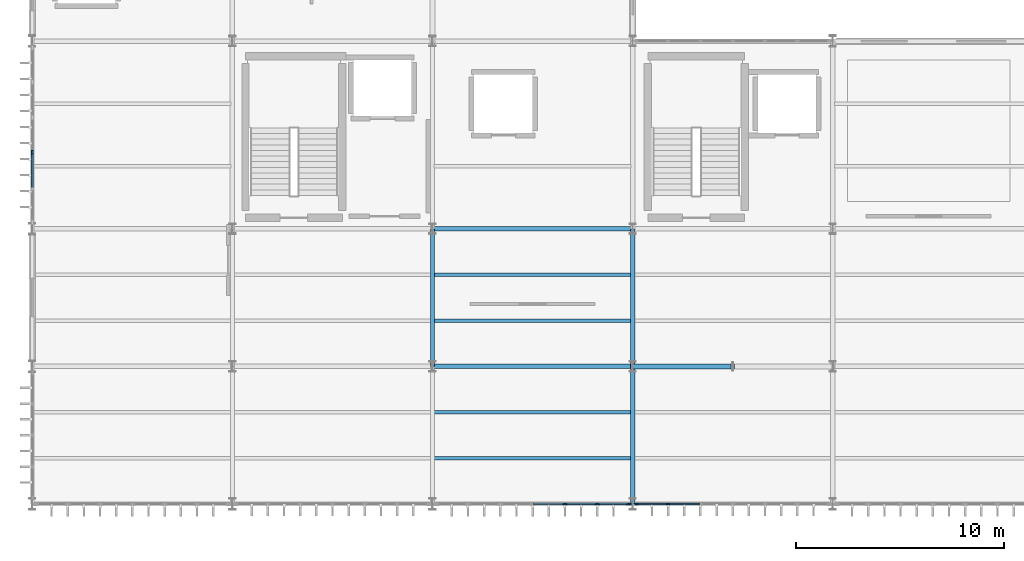
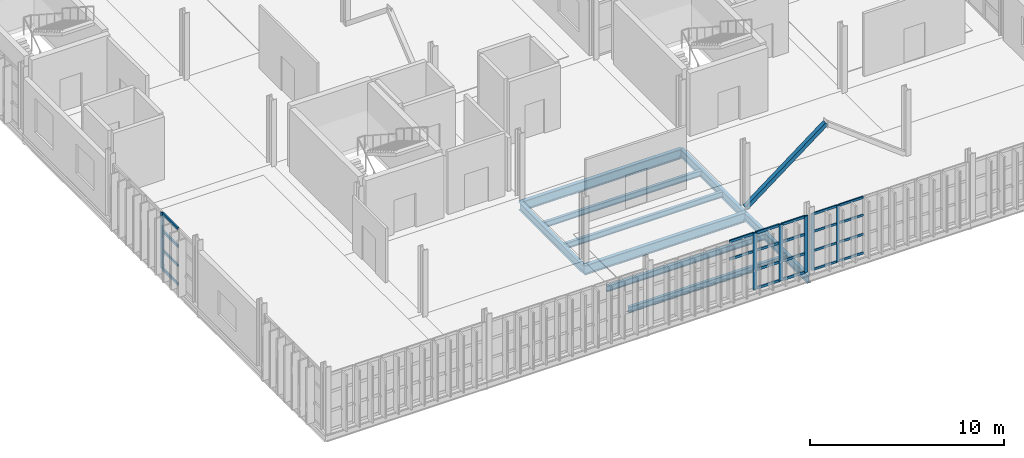
# One storey, part 6 of 52: 29 members, 9 beams, 3 elements without a shape of their own.
"""IFC4 building model written with IfcOpenShell, lengths in metres."""

from ifc_helpers import new_model, si_unit, direction, frame, origin, origin_2d, place, context, subcontext, project, spatial, rectangle, hollow_rectangle, i_section, extrude, material, layer, layer_set, material_profile, profile_set, type_object, element, aggregate, save


model = new_model("IFC4")

# Units and contexts
model_context = context("Model", 3, precision=1e-05, world=origin(), true_north=direction((0.0, 1.0)))
body_context = subcontext(model_context, "Body", "Model", "MODEL_VIEW")
ifc_project = project(units=[si_unit("LENGTHUNIT", "METRE"), si_unit("AREAUNIT", "SQUARE_METRE"), si_unit("VOLUMEUNIT", "CUBIC_METRE"), si_unit("PLANEANGLEUNIT", "RADIAN"), si_unit("MASSUNIT", "GRAM", prefix="KILO")], contexts=[model_context])

# Site, building, storey
site_placement = place(None, origin())
site = spatial("IfcSite", under=ifc_project, at=site_placement, CompositionType="ELEMENT")
building_placement = place(site_placement, origin())
building = spatial("IfcBuilding", under=site, at=building_placement, Name="Zarnetskaya Central Station", CompositionType="ELEMENT")
storey_placement = place(building_placement, frame((0.0, 0.0, 14.39990234375)))
storey = spatial("IfcBuildingStorey", under=building, at=storey_placement, Name="L03", CompositionType="ELEMENT", Elevation=14.39990234375)

# Beams
ifc_material_1 = material(Name="Steel S355", Category="steel")
ifc_material_profile_1 = material_profile(ifc_material_1, i_section(OverallWidth=0.169921875, OverallDepth=0.360107421875, WebThickness=0.008056640625, FlangeThickness=0.0126953125, FilletRadius=0.01806640625, at=origin_2d()), Name="IPE 360")
ifc_profile_set_1 = profile_set([ifc_material_profile_1], Name="Steel S355")
beam_type_1 = type_object("IfcBeamType", Name="BM-SEC-360", PredefinedType="BEAM", material=ifc_profile_set_1)
for number, where, z_axis, x_axis, name in (
    (1, (19.280029296875, 2.199951171875, -0.429931640625), (1.0, 0.0, 0.0), (0.0, 1.0, 0.0), "Secondary floor beam SEC-L03-Z1415-CD-12-1"),
    (2, (19.280029296875, 4.39990234375, -0.429931640625), (1.0, 0.0, 0.0), (0.0, 1.0, 0.0), "Secondary floor beam SEC-L03-Z1415-CD-12-2"),
    (3, (19.280029296875, 8.800048828125, -0.429931640625), (1.0, 0.0, 0.0), (0.0, 1.0, 0.0), "Secondary floor beam SEC-L03-Z1415-CD-23-1"),
    (4, (19.280029296875, 11.0, -0.429931640625), (1.0, 0.0, 0.0), (0.0, 1.0, 0.0), "Secondary floor beam SEC-L03-Z1415-CD-23-2"),
):
    element("IfcBeam", number, at=place(storey_placement, frame(where, z_axis=z_axis, x_axis=x_axis)), inside=storey, type_object=beam_type_1, Name=name, PredefinedType="BEAM", context=body_context, shape_type="SweptSolid", body=[
        extrude(i_section(OverallWidth=0.169921875, OverallDepth=0.360107421875, WebThickness=0.008056640625, FlangeThickness=0.0126953125, FilletRadius=0.01806640625, at=origin_2d()), origin(), (0.0, 0.0, 1.0), 9.43994140625),
    ])

# Curtain wall, members
ifc_material_2 = material(Name="Low-E insulated glass", Category="glass")
ifc_layer_1 = layer(ifc_material_2, 0.159912109375, Name="Low-E insulated glass", Category="glass")
ifc_layer_set_1 = layer_set([ifc_layer_1], Name="Low-E insulated glass")
curtain_wall_type_1 = type_object("IfcCurtainWallType", Name="CW-SYS-06", PredefinedType="USERDEFINED", material=ifc_layer_set_1)
curtain_wall_1_placement = place(storey_placement, origin())
curtain_wall_1 = element("IfcCurtainWall", 5, at=curtain_wall_1_placement, inside=storey, type_object=curtain_wall_type_1, Name="Curtain wall CW-L03-043", ObjectType="CURTAIN WALL", PredefinedType="USERDEFINED")
ifc_material_3 = material(Name="Anodised aluminium", Category="aluminium")
ifc_material_profile_2 = material_profile(ifc_material_3, rectangle(XDim=0.070068359375, YDim=0.179931640625, at=origin_2d()), Name="ALU MULL 70x180")
ifc_profile_set_2 = profile_set([ifc_material_profile_2], Name="Anodised aluminium")
member_type_1 = type_object("IfcMemberType", Name="CW-MULL-180", PredefinedType="MULLION", material=ifc_profile_set_2)
member_1_placement = place(storey_placement, frame((30.5, 0.0, 0.0), z_axis=(0.0, 0.0, 1.0), x_axis=(0.0, -1.0, 0.0)))
member_1 = element("IfcMember", 6, at=member_1_placement, type_object=member_type_1, Name="CW-02 mullion 6", PredefinedType="MULLION", context=body_context, shape_type="SweptSolid", body=[
    extrude(rectangle(XDim=0.070068359375, YDim=0.179931640625, at=origin_2d()), origin(), (0.0, 0.0, 1.0), 3.56005859375),
])
member_2_placement = place(storey_placement, frame((28.985107421875, 0.0, 0.0), z_axis=(0.0, 0.0, 1.0), x_axis=(0.0, -1.0, 0.0)))
member_2 = element("IfcMember", 7, at=member_2_placement, type_object=member_type_1, Name="CW-02 mullion 7", PredefinedType="MULLION", context=body_context, shape_type="SweptSolid", body=[
    extrude(rectangle(XDim=0.070068359375, YDim=0.179931640625, at=origin_2d()), origin(), (0.0, 0.0, 1.0), 3.56005859375),
])

# Curtain wall, member
ifc_layer_2 = layer(ifc_material_2, 0.1640625, Name="Low-E insulated glass", Category="glass")
ifc_layer_set_2 = layer_set([ifc_layer_2], Name="Low-E insulated glass")
curtain_wall_type_2 = type_object("IfcCurtainWallType", Name="CW-SYS-07", PredefinedType="USERDEFINED", material=ifc_layer_set_2)
curtain_wall_2_placement = place(storey_placement, origin())
curtain_wall_2 = element("IfcCurtainWall", 8, at=curtain_wall_2_placement, inside=storey, type_object=curtain_wall_type_2, Name="Curtain wall CW-L03-032", ObjectType="CURTAIN WALL", PredefinedType="USERDEFINED")
ifc_material_profile_3 = material_profile(ifc_material_3, rectangle(XDim=0.080078125, YDim=0.219970703125, at=origin_2d()), Name="ALU MULL 80x220")
ifc_profile_set_3 = profile_set([ifc_material_profile_3], Name="Anodised aluminium")
member_type_2 = type_object("IfcMemberType", Name="CW-MULL-220", PredefinedType="MULLION", material=ifc_profile_set_3)
member_3_placement = place(storey_placement, frame((0.0, 16.85498046875, 0.0), z_axis=(0.0, 0.0, 1.0), x_axis=(-1.0, 0.0, 0.0)))
member_3 = element("IfcMember", 9, at=member_3_placement, type_object=member_type_2, Name="CW-06 mullion 3", PredefinedType="MULLION", context=body_context, shape_type="SweptSolid", body=[
    extrude(rectangle(XDim=0.080078125, YDim=0.219970703125, at=origin_2d()), origin(), (0.0, 0.0, 1.0), 3.56005859375),
])

# Curtain wall, members
curtain_wall_3_placement = place(storey_placement, origin())
curtain_wall_3 = element("IfcCurtainWall", 10, at=curtain_wall_3_placement, inside=storey, type_object=curtain_wall_type_2, Name="Curtain wall CW-L03-044", ObjectType="CURTAIN WALL", PredefinedType="USERDEFINED")
member_4_placement = place(storey_placement, frame((28.610107421875, 0.0, 0.0), z_axis=(0.0, 0.0, 1.0), x_axis=(0.0, -1.0, 0.0)))
member_4 = element("IfcMember", 11, at=member_4_placement, type_object=member_type_2, Name="CW-06 mullion 1", PredefinedType="MULLION", context=body_context, shape_type="SweptSolid", body=[
    extrude(rectangle(XDim=0.080078125, YDim=0.219970703125, at=origin_2d()), origin(), (0.0, 0.0, 1.0), 3.56005859375),
])
member_5_placement = place(storey_placement, frame((27.10009765625, 0.0, 0.0), z_axis=(0.0, 0.0, 1.0), x_axis=(0.0, -1.0, 0.0)))
member_5 = element("IfcMember", 12, at=member_5_placement, type_object=member_type_2, Name="CW-06 mullion 2", PredefinedType="MULLION", context=body_context, shape_type="SweptSolid", body=[
    extrude(rectangle(XDim=0.080078125, YDim=0.219970703125, at=origin_2d()), origin(), (0.0, 0.0, 1.0), 3.56005859375),
])
member_6_placement = place(storey_placement, frame((25.550048828125, 0.0, 0.0), z_axis=(0.0, 0.0, 1.0), x_axis=(0.0, -1.0, 0.0)))
member_6 = element("IfcMember", 13, at=member_6_placement, type_object=member_type_2, Name="CW-06 mullion 3", PredefinedType="MULLION", context=body_context, shape_type="SweptSolid", body=[
    extrude(rectangle(XDim=0.080078125, YDim=0.219970703125, at=origin_2d()), origin(), (0.0, 0.0, 1.0), 3.56005859375),
])

# Member
ifc_material_profile_4 = material_profile(ifc_material_3, rectangle(XDim=0.070068359375, YDim=0.139892578125, at=origin_2d()), Name="ALU TRAN 70x140")
ifc_profile_set_4 = profile_set([ifc_material_profile_4], Name="Anodised aluminium")
member_type_3 = type_object("IfcMemberType", Name="CW-TRAN-140", PredefinedType="USERDEFINED", material=ifc_profile_set_4)
member_7_placement = place(storey_placement, frame((32.014892578125, 0.0, 0.03515625), z_axis=(-1.0, 0.0, 0.0), x_axis=(0.0, -1.0, 0.0)))
member_7 = element("IfcMember", 14, at=member_7_placement, type_object=member_type_3, Name="CW-02 transom 5.1", ObjectType="TRANSOM", PredefinedType="USERDEFINED", context=body_context, shape_type="SweptSolid", body=[
    extrude(rectangle(XDim=0.070068359375, YDim=0.139892578125, at=origin_2d()), origin(), (0.0, 0.0, 1.0), 1.47998046875),
])

member_8_placement = place(storey_placement, frame((32.014892578125, 0.0, 1.210205078125), z_axis=(-1.0, 0.0, 0.0), x_axis=(0.0, -1.0, 0.0)))
member_8 = element("IfcMember", 15, at=member_8_placement, type_object=member_type_3, Name="CW-02 transom 5.2", ObjectType="TRANSOM", PredefinedType="USERDEFINED", context=body_context, shape_type="SweptSolid", body=[
    extrude(rectangle(XDim=0.070068359375, YDim=0.139892578125, at=origin_2d()), origin(), (0.0, 0.0, 1.0), 1.47998046875),
])

member_9_placement = place(storey_placement, frame((32.014892578125, 0.0, 2.421142578125), z_axis=(-1.0, 0.0, 0.0), x_axis=(0.0, -1.0, 0.0)))
member_9 = element("IfcMember", 16, at=member_9_placement, type_object=member_type_3, Name="CW-02 transom 5.3", ObjectType="TRANSOM", PredefinedType="USERDEFINED", context=body_context, shape_type="SweptSolid", body=[
    extrude(rectangle(XDim=0.070068359375, YDim=0.139892578125, at=origin_2d()), origin(), (0.0, 0.0, 1.0), 1.47998046875),
])

member_10_placement = place(storey_placement, frame((32.014892578125, 0.0, 3.525146484375), z_axis=(-1.0, 0.0, 0.0), x_axis=(0.0, -1.0, 0.0)))
member_10 = element("IfcMember", 17, at=member_10_placement, type_object=member_type_3, Name="CW-02 transom 5.4", ObjectType="TRANSOM", PredefinedType="USERDEFINED", context=body_context, shape_type="SweptSolid", body=[
    extrude(rectangle(XDim=0.070068359375, YDim=0.139892578125, at=origin_2d()), origin(), (0.0, 0.0, 1.0), 1.47998046875),
])

member_11_placement = place(storey_placement, frame((30.465087890625, 0.0, 0.03515625), z_axis=(-1.0, 0.0, 0.0), x_axis=(0.0, -1.0, 0.0)))
member_11 = element("IfcMember", 18, at=member_11_placement, type_object=member_type_3, Name="CW-02 transom 6.1", ObjectType="TRANSOM", PredefinedType="USERDEFINED", context=body_context, shape_type="SweptSolid", body=[
    extrude(rectangle(XDim=0.070068359375, YDim=0.139892578125, at=origin_2d()), origin(), (0.0, 0.0, 1.0), 1.445068359375),
])

member_12_placement = place(storey_placement, frame((30.465087890625, 0.0, 1.210205078125), z_axis=(-1.0, 0.0, 0.0), x_axis=(0.0, -1.0, 0.0)))
member_12 = element("IfcMember", 19, at=member_12_placement, type_object=member_type_3, Name="CW-02 transom 6.2", ObjectType="TRANSOM", PredefinedType="USERDEFINED", context=body_context, shape_type="SweptSolid", body=[
    extrude(rectangle(XDim=0.070068359375, YDim=0.139892578125, at=origin_2d()), origin(), (0.0, 0.0, 1.0), 1.445068359375),
])

member_13_placement = place(storey_placement, frame((30.465087890625, 0.0, 2.421142578125), z_axis=(-1.0, 0.0, 0.0), x_axis=(0.0, -1.0, 0.0)))
member_13 = element("IfcMember", 20, at=member_13_placement, type_object=member_type_3, Name="CW-02 transom 6.3", ObjectType="TRANSOM", PredefinedType="USERDEFINED", context=body_context, shape_type="SweptSolid", body=[
    extrude(rectangle(XDim=0.070068359375, YDim=0.139892578125, at=origin_2d()), origin(), (0.0, 0.0, 1.0), 1.445068359375),
])

member_14_placement = place(storey_placement, frame((30.465087890625, 0.0, 3.525146484375), z_axis=(-1.0, 0.0, 0.0), x_axis=(0.0, -1.0, 0.0)))
member_14 = element("IfcMember", 21, at=member_14_placement, type_object=member_type_3, Name="CW-02 transom 6.4", ObjectType="TRANSOM", PredefinedType="USERDEFINED", context=body_context, shape_type="SweptSolid", body=[
    extrude(rectangle(XDim=0.070068359375, YDim=0.139892578125, at=origin_2d()), origin(), (0.0, 0.0, 1.0), 1.445068359375),
])

aggregate(curtain_wall_1, [member_1, member_2, member_7, member_8, member_9, member_10, member_11, member_12, member_13, member_14])

ifc_material_profile_5 = material_profile(ifc_material_3, rectangle(XDim=0.080078125, YDim=0.159912109375, at=origin_2d()), Name="ALU TRAN 80x160")
ifc_profile_set_5 = profile_set([ifc_material_profile_5], Name="Anodised aluminium")
member_type_4 = type_object("IfcMemberType", Name="CW-TRAN-160", PredefinedType="USERDEFINED", material=ifc_profile_set_5)
member_15_placement = place(storey_placement, frame((0.0, 15.205078125, 0.0400390625), z_axis=(0.0, 1.0, 0.0), x_axis=(-1.0, 0.0, 0.0)))
member_15 = element("IfcMember", 22, at=member_15_placement, type_object=member_type_4, Name="CW-06 transom 2.1", ObjectType="TRANSOM", PredefinedType="USERDEFINED", context=body_context, shape_type="SweptSolid", body=[
    extrude(rectangle(XDim=0.080078125, YDim=0.159912109375, at=origin_2d()), origin(), (0.0, 0.0, 1.0), 1.60986328125),
])

member_16_placement = place(storey_placement, frame((0.0, 15.205078125, 1.210205078125), z_axis=(0.0, 1.0, 0.0), x_axis=(-1.0, 0.0, 0.0)))
member_16 = element("IfcMember", 23, at=member_16_placement, type_object=member_type_4, Name="CW-06 transom 2.2", ObjectType="TRANSOM", PredefinedType="USERDEFINED", context=body_context, shape_type="SweptSolid", body=[
    extrude(rectangle(XDim=0.080078125, YDim=0.159912109375, at=origin_2d()), origin(), (0.0, 0.0, 1.0), 1.60986328125),
])

member_17_placement = place(storey_placement, frame((0.0, 15.205078125, 2.421142578125), z_axis=(0.0, 1.0, 0.0), x_axis=(-1.0, 0.0, 0.0)))
member_17 = element("IfcMember", 24, at=member_17_placement, type_object=member_type_4, Name="CW-06 transom 2.3", ObjectType="TRANSOM", PredefinedType="USERDEFINED", context=body_context, shape_type="SweptSolid", body=[
    extrude(rectangle(XDim=0.080078125, YDim=0.159912109375, at=origin_2d()), origin(), (0.0, 0.0, 1.0), 1.60986328125),
])

member_18_placement = place(storey_placement, frame((0.0, 15.205078125, 3.52001953125), z_axis=(0.0, 1.0, 0.0), x_axis=(-1.0, 0.0, 0.0)))
member_18 = element("IfcMember", 25, at=member_18_placement, type_object=member_type_4, Name="CW-06 transom 2.4", ObjectType="TRANSOM", PredefinedType="USERDEFINED", context=body_context, shape_type="SweptSolid", body=[
    extrude(rectangle(XDim=0.080078125, YDim=0.159912109375, at=origin_2d()), origin(), (0.0, 0.0, 1.0), 1.60986328125),
])

aggregate(curtain_wall_2, [member_3, member_15, member_16, member_17, member_18])

member_19_placement = place(storey_placement, frame((28.570068359375, 0.0, 0.0400390625), z_axis=(-1.0, 0.0, 0.0), x_axis=(0.0, -1.0, 0.0)))
member_19 = element("IfcMember", 26, at=member_19_placement, type_object=member_type_4, Name="CW-06 transom 1.1", ObjectType="TRANSOM", PredefinedType="USERDEFINED", context=body_context, shape_type="SweptSolid", body=[
    extrude(rectangle(XDim=0.080078125, YDim=0.159912109375, at=origin_2d()), origin(), (0.0, 0.0, 1.0), 1.43017578125),
])

member_20_placement = place(storey_placement, frame((28.570068359375, 0.0, 1.210205078125), z_axis=(-1.0, 0.0, 0.0), x_axis=(0.0, -1.0, 0.0)))
member_20 = element("IfcMember", 27, at=member_20_placement, type_object=member_type_4, Name="CW-06 transom 1.2", ObjectType="TRANSOM", PredefinedType="USERDEFINED", context=body_context, shape_type="SweptSolid", body=[
    extrude(rectangle(XDim=0.080078125, YDim=0.159912109375, at=origin_2d()), origin(), (0.0, 0.0, 1.0), 1.43017578125),
])

member_21_placement = place(storey_placement, frame((28.570068359375, 0.0, 2.421142578125), z_axis=(-1.0, 0.0, 0.0), x_axis=(0.0, -1.0, 0.0)))
member_21 = element("IfcMember", 28, at=member_21_placement, type_object=member_type_4, Name="CW-06 transom 1.3", ObjectType="TRANSOM", PredefinedType="USERDEFINED", context=body_context, shape_type="SweptSolid", body=[
    extrude(rectangle(XDim=0.080078125, YDim=0.159912109375, at=origin_2d()), origin(), (0.0, 0.0, 1.0), 1.43017578125),
])

member_22_placement = place(storey_placement, frame((28.570068359375, 0.0, 3.52001953125), z_axis=(-1.0, 0.0, 0.0), x_axis=(0.0, -1.0, 0.0)))
member_22 = element("IfcMember", 29, at=member_22_placement, type_object=member_type_4, Name="CW-06 transom 1.4", ObjectType="TRANSOM", PredefinedType="USERDEFINED", context=body_context, shape_type="SweptSolid", body=[
    extrude(rectangle(XDim=0.080078125, YDim=0.159912109375, at=origin_2d()), origin(), (0.0, 0.0, 1.0), 1.43017578125),
])

member_23_placement = place(storey_placement, frame((27.06005859375, 0.0, 0.0400390625), z_axis=(-1.0, 0.0, 0.0), x_axis=(0.0, -1.0, 0.0)))
member_23 = element("IfcMember", 30, at=member_23_placement, type_object=member_type_4, Name="CW-06 transom 2.1", ObjectType="TRANSOM", PredefinedType="USERDEFINED", context=body_context, shape_type="SweptSolid", body=[
    extrude(rectangle(XDim=0.080078125, YDim=0.159912109375, at=origin_2d()), origin(), (0.0, 0.0, 1.0), 1.469970703125),
])

member_24_placement = place(storey_placement, frame((27.06005859375, 0.0, 1.210205078125), z_axis=(-1.0, 0.0, 0.0), x_axis=(0.0, -1.0, 0.0)))
member_24 = element("IfcMember", 31, at=member_24_placement, type_object=member_type_4, Name="CW-06 transom 2.2", ObjectType="TRANSOM", PredefinedType="USERDEFINED", context=body_context, shape_type="SweptSolid", body=[
    extrude(rectangle(XDim=0.080078125, YDim=0.159912109375, at=origin_2d()), origin(), (0.0, 0.0, 1.0), 1.469970703125),
])

member_25_placement = place(storey_placement, frame((27.06005859375, 0.0, 2.421142578125), z_axis=(-1.0, 0.0, 0.0), x_axis=(0.0, -1.0, 0.0)))
member_25 = element("IfcMember", 32, at=member_25_placement, type_object=member_type_4, Name="CW-06 transom 2.3", ObjectType="TRANSOM", PredefinedType="USERDEFINED", context=body_context, shape_type="SweptSolid", body=[
    extrude(rectangle(XDim=0.080078125, YDim=0.159912109375, at=origin_2d()), origin(), (0.0, 0.0, 1.0), 1.469970703125),
])

member_26_placement = place(storey_placement, frame((27.06005859375, 0.0, 3.52001953125), z_axis=(-1.0, 0.0, 0.0), x_axis=(0.0, -1.0, 0.0)))
member_26 = element("IfcMember", 33, at=member_26_placement, type_object=member_type_4, Name="CW-06 transom 2.4", ObjectType="TRANSOM", PredefinedType="USERDEFINED", context=body_context, shape_type="SweptSolid", body=[
    extrude(rectangle(XDim=0.080078125, YDim=0.159912109375, at=origin_2d()), origin(), (0.0, 0.0, 1.0), 1.469970703125),
])

member_27_placement = place(storey_placement, frame((25.510009765625, 0.0, 2.421142578125), z_axis=(-1.0, 0.0, 0.0), x_axis=(0.0, -1.0, 0.0)))
member_27 = element("IfcMember", 34, at=member_27_placement, type_object=member_type_4, Name="CW-06 transom 3.3", ObjectType="TRANSOM", PredefinedType="USERDEFINED", context=body_context, shape_type="SweptSolid", body=[
    extrude(rectangle(XDim=0.080078125, YDim=0.159912109375, at=origin_2d()), origin(), (0.0, 0.0, 1.0), 1.469970703125),
])

member_28_placement = place(storey_placement, frame((25.510009765625, 0.0, 3.52001953125), z_axis=(-1.0, 0.0, 0.0), x_axis=(0.0, -1.0, 0.0)))
member_28 = element("IfcMember", 35, at=member_28_placement, type_object=member_type_4, Name="CW-06 transom 3.4", ObjectType="TRANSOM", PredefinedType="USERDEFINED", context=body_context, shape_type="SweptSolid", body=[
    extrude(rectangle(XDim=0.080078125, YDim=0.159912109375, at=origin_2d()), origin(), (0.0, 0.0, 1.0), 1.469970703125),
])

aggregate(curtain_wall_3, [member_4, member_5, member_6, member_19, member_20, member_21, member_22, member_23, member_24, member_25, member_26, member_27, member_28])

# Beams
ifc_material_profile_6 = material_profile(ifc_material_1, i_section(OverallWidth=0.199951171875, OverallDepth=0.5, WebThickness=0.01025390625, FlangeThickness=0.01611328125, FilletRadius=0.02099609375, at=origin_2d()), Name="IPE 500")
ifc_profile_set_6 = profile_set([ifc_material_profile_6], Name="Steel S355")
beam_type_2 = type_object("IfcBeamType", Name="GD-FLR-500", PredefinedType="USERDEFINED", material=ifc_profile_set_6)
beam_1_placement = place(storey_placement, frame((19.199951171875, 6.60009765625, -0.5), z_axis=(0.0, 1.0, 0.0), x_axis=(-1.0, 0.0, 0.0)))
element("IfcBeam", 36, at=beam_1_placement, inside=storey, type_object=beam_type_2, Name="Grid girder GY-L03-C-23", ObjectType="GIRDER", PredefinedType="USERDEFINED", context=body_context, shape_type="SweptSolid", body=[
    extrude(i_section(OverallWidth=0.199951171875, OverallDepth=0.5, WebThickness=0.01025390625, FlangeThickness=0.01611328125, FilletRadius=0.02099609375, at=origin_2d()), origin(), (0.0, 0.0, 1.0), 6.599853515625),
])
beam_2_placement = place(storey_placement, frame((28.800048828125, 0.0, -0.5), z_axis=(0.0, 1.0, 0.0), x_axis=(-1.0, 0.0, 0.0)))
element("IfcBeam", 37, at=beam_2_placement, inside=storey, type_object=beam_type_2, Name="Grid girder GY-L03-D-12", ObjectType="GIRDER", PredefinedType="USERDEFINED", context=body_context, shape_type="SweptSolid", body=[
    extrude(i_section(OverallWidth=0.199951171875, OverallDepth=0.5, WebThickness=0.01025390625, FlangeThickness=0.01611328125, FilletRadius=0.02099609375, at=origin_2d()), origin(), (0.0, 0.0, 1.0), 6.60009765625),
])
beam_3_placement = place(storey_placement, frame((28.800048828125, 6.60009765625, -0.5), z_axis=(0.0, 1.0, 0.0), x_axis=(-1.0, 0.0, 0.0)))
element("IfcBeam", 38, at=beam_3_placement, inside=storey, type_object=beam_type_2, Name="Grid girder GY-L03-D-23", ObjectType="GIRDER", PredefinedType="USERDEFINED", context=body_context, shape_type="SweptSolid", body=[
    extrude(i_section(OverallWidth=0.199951171875, OverallDepth=0.5, WebThickness=0.01025390625, FlangeThickness=0.01611328125, FilletRadius=0.02099609375, at=origin_2d()), origin(), (0.0, 0.0, 1.0), 6.599853515625),
])
ifc_material_profile_7 = material_profile(ifc_material_1, i_section(OverallWidth=0.219970703125, OverallDepth=0.60009765625, WebThickness=0.011962890625, FlangeThickness=0.01904296875, FilletRadius=0.02392578125, at=origin_2d()), Name="IPE 600")
ifc_profile_set_7 = profile_set([ifc_material_profile_7], Name="Steel S355")
beam_type_3 = type_object("IfcBeamType", Name="GD-FLR-600", PredefinedType="USERDEFINED", material=ifc_profile_set_7)
for number, where, z_axis, x_axis, name in (
    (39, (19.199951171875, 6.60009765625, -0.5498046875), (1.0, 0.0, 0.0), (0.0, 1.0, 0.0), "Grid girder GX-L03-2-CD"),
    (40, (19.199951171875, 13.199951171875, -0.5498046875), (1.0, 0.0, 0.0), (0.0, 1.0, 0.0), "Grid girder GX-L03-3-CD"),
):
    element("IfcBeam", number, at=place(storey_placement, frame(where, z_axis=z_axis, x_axis=x_axis)), inside=storey, type_object=beam_type_3, Name=name, ObjectType="GIRDER", PredefinedType="USERDEFINED", context=body_context, shape_type="SweptSolid", body=[
        extrude(i_section(OverallWidth=0.219970703125, OverallDepth=0.60009765625, WebThickness=0.011962890625, FlangeThickness=0.01904296875, FilletRadius=0.02392578125, at=origin_2d()), origin(), (0.0, 0.0, 1.0), 9.60009765625),
    ])

# Member
ifc_material_profile_8 = material_profile(ifc_material_1, hollow_rectangle(XDim=0.25, YDim=0.25, WallThickness=0.012451171875, at=origin_2d()), Name="SHS 250x250x12.5")
ifc_profile_set_8 = profile_set([ifc_material_profile_8], Name="Steel S355")
member_type_5 = type_object("IfcMemberType", Name="MB-CBF-BRACE", PredefinedType="BRACE", material=ifc_profile_set_8)
member_29_placement = place(storey_placement, frame((28.800048828125, 6.60009765625, 0.0), z_axis=(0.79519397776, 0.0, 0.606355125099), x_axis=(0.0, 1.0, 0.0)))
element("IfcMember", 41, at=member_29_placement, inside=storey, type_object=member_type_5, Name="Concentrically braced frame chevron 2L L03", PredefinedType="BRACE", context=body_context, shape_type="SweptSolid", body=[
    extrude(hollow_rectangle(XDim=0.25, YDim=0.25, WallThickness=0.012451171875, at=origin_2d()), origin(), (0.0, 0.0, 1.0), 6.036376953125),
])

save(model, "model.ifc")
